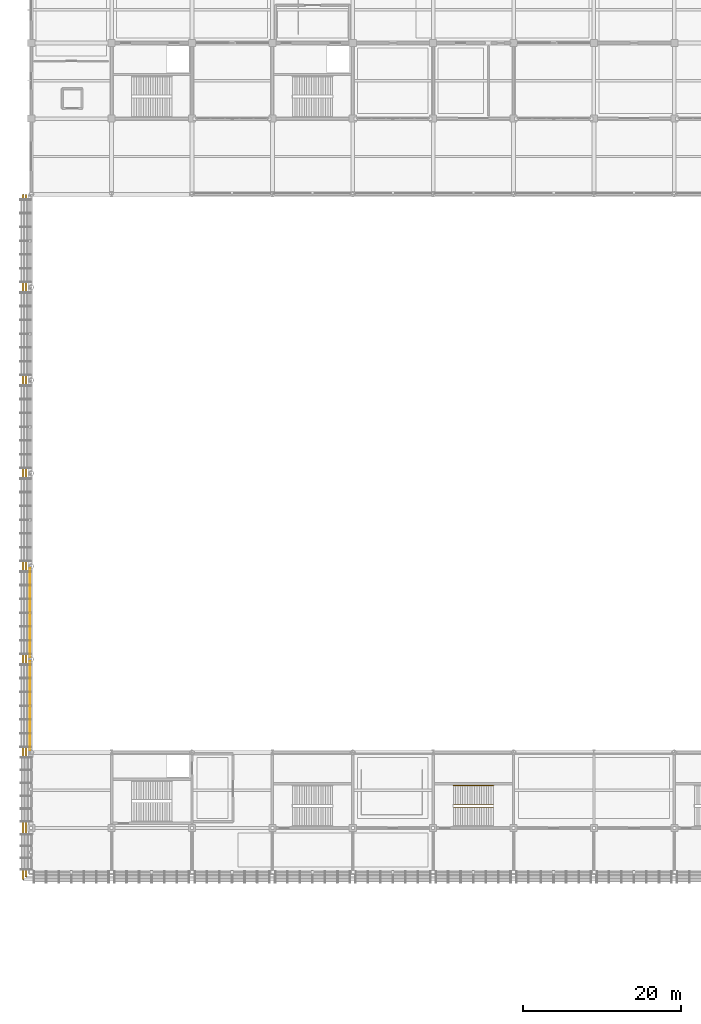
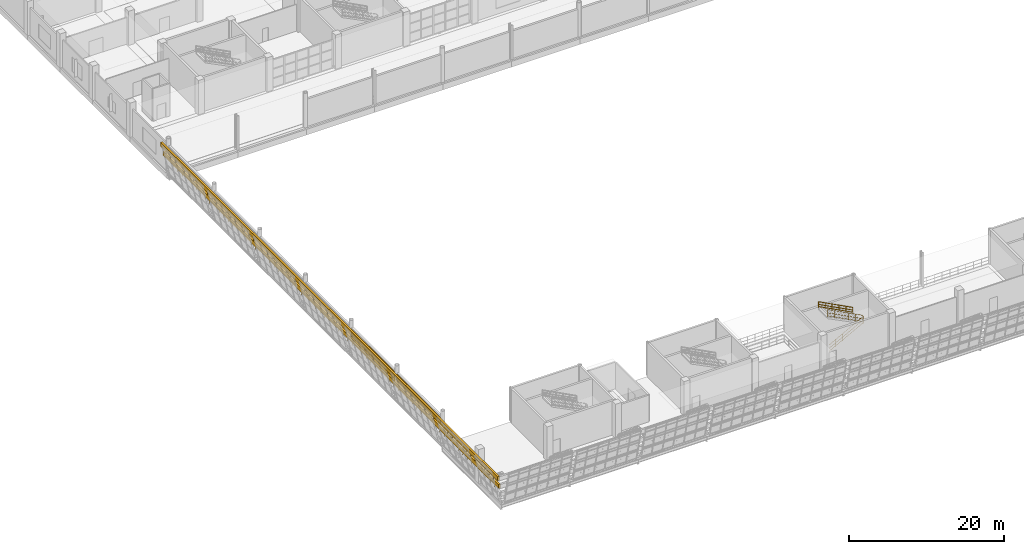
# One storey, part 153 of 175: 6 coverings, 4 railings.
"""IFC4 building model written with IfcOpenShell, lengths in metres."""

from ifc_helpers import new_model, si_unit, direction, frame, origin, origin_2d, place, context, subcontext, project, spatial, polyline, rectangle, circle, outline, extrude, material, layer, layer_set, type_object, element, save


model = new_model("IFC4")

# Units and contexts
model_context = context("Model", 3, precision=1e-05, world=origin(), true_north=direction((0.0, 1.0)))
body_context = subcontext(model_context, "Body", "Model", "MODEL_VIEW")
ifc_project = project(units=[si_unit("LENGTHUNIT", "METRE"), si_unit("AREAUNIT", "SQUARE_METRE"), si_unit("VOLUMEUNIT", "CUBIC_METRE"), si_unit("PLANEANGLEUNIT", "RADIAN"), si_unit("MASSUNIT", "GRAM", prefix="KILO")], contexts=[model_context])

# Site, building, storey
site_placement = place(None, origin())
site = spatial("IfcSite", under=ifc_project, at=site_placement, CompositionType="ELEMENT")
building_placement = place(site_placement, origin())
building = spatial("IfcBuilding", under=site, at=building_placement, Name="Brelvane Convention Centre", CompositionType="ELEMENT")
storey_placement = place(building_placement, frame((0.0, 0.0, 5.39990234375)))
storey = spatial("IfcBuildingStorey", under=building, at=storey_placement, Name="L01", CompositionType="ELEMENT", Elevation=5.39990234375)

# Coverings
ifc_material_1 = material(Name="Patinated Copper-Bronze Alloy C22000")
ifc_layer_1 = layer(ifc_material_1, 0.044921875)
ifc_layer_set_1 = layer_set([ifc_layer_1], Name="Patinated Copper-Bronze Alloy C22000")
covering_type_1 = type_object("IfcCoveringType", Name="Envelope Covering CL-CU1", PredefinedType="CLADDING", material=ifc_layer_set_1)
covering_1_placement = place(storey_placement, frame((0.0, 0.0, 3.77001953125)))
element("IfcCovering", 1, at=covering_1_placement, inside=storey, type_object=covering_type_1, Name="Copper-Bronze Hull Band L01-V1W-L01-1-1", PredefinedType="CLADDING", context=body_context, shape_type="SweptSolid", body=[
    extrude(outline(polyline([(-0.14111328125, 29.0400390625), (-0.14111328125, 40.360107421875), (-0.18603515625, 40.360107421875), (-0.18603515625, 29.0400390625), (-0.14111328125, 29.0400390625)])), origin(), (0.0, 0.0, 1.0), 0.380126953125),
])
covering_2_placement = place(storey_placement, frame((0.0, 0.0, 3.77001953125)))
element("IfcCovering", 2, at=covering_2_placement, inside=storey, type_object=covering_type_1, Name="Copper-Bronze Hull Band L01-V1W-L01-2-1", PredefinedType="CLADDING", context=body_context, shape_type="SweptSolid", body=[
    extrude(outline(polyline([(-0.14111328125, 40.840087890625), (-0.14111328125, 52.159912109375), (-0.18603515625, 52.159912109375), (-0.18603515625, 40.840087890625), (-0.14111328125, 40.840087890625)])), origin(), (0.0, 0.0, 1.0), 0.380126953125),
])
ifc_material_2 = material(Name="Patinated Copper-Bronze Alloy C22000")
ifc_layer_2 = layer(ifc_material_2, 0.054931640625)
ifc_layer_set_2 = layer_set([ifc_layer_2], Name="Patinated Copper-Bronze Alloy C22000")
covering_type_2 = type_object("IfcCoveringType", Name="Envelope Covering CL-CU2", PredefinedType="CLADDING", material=ifc_layer_set_2)
covering_3_placement = place(storey_placement, frame((0.0, 0.0, 3.22021484375)))
element("IfcCovering", 3, at=covering_3_placement, inside=storey, type_object=covering_type_2, Name="Copper-Bronze Hull Band L01-V1W-L01-1-2", PredefinedType="CLADDING", context=body_context, shape_type="SweptSolid", body=[
    extrude(outline(polyline([(-0.14111328125, 29.0400390625), (-0.14111328125, 40.360107421875), (-0.196044921875, 40.360107421875), (-0.196044921875, 29.0400390625), (-0.14111328125, 29.0400390625)])), origin(), (0.0, 0.0, 1.0), 0.3798828125),
])
covering_4_placement = place(storey_placement, frame((0.0, 0.0, 3.22021484375)))
element("IfcCovering", 4, at=covering_4_placement, inside=storey, type_object=covering_type_2, Name="Copper-Bronze Hull Band L01-V1W-L01-2-2", PredefinedType="CLADDING", context=body_context, shape_type="SweptSolid", body=[
    extrude(outline(polyline([(-0.14111328125, 40.840087890625), (-0.14111328125, 52.159912109375), (-0.196044921875, 52.159912109375), (-0.196044921875, 40.840087890625), (-0.14111328125, 40.840087890625)])), origin(), (0.0, 0.0, 1.0), 0.3798828125),
])
ifc_material_3 = material(Name="Patinated Copper-Bronze Alloy C22000")
ifc_layer_3 = layer(ifc_material_3, 0.06494140625)
ifc_layer_set_3 = layer_set([ifc_layer_3], Name="Patinated Copper-Bronze Alloy C22000")
covering_type_3 = type_object("IfcCoveringType", Name="Envelope Covering CL-CU3", PredefinedType="CLADDING", material=ifc_layer_set_3)
covering_5_placement = place(storey_placement, frame((0.0, 0.0, 2.670166015625)))
element("IfcCovering", 5, at=covering_5_placement, inside=storey, type_object=covering_type_3, Name="Copper-Bronze Hull Band L01-V1W-L01-1-3", PredefinedType="CLADDING", context=body_context, shape_type="SweptSolid", body=[
    extrude(outline(polyline([(-0.14111328125, 29.0400390625), (-0.14111328125, 40.360107421875), (-0.2060546875, 40.360107421875), (-0.2060546875, 29.0400390625), (-0.14111328125, 29.0400390625)])), origin(), (0.0, 0.0, 1.0), 0.3798828125),
])
covering_6_placement = place(storey_placement, frame((0.0, 0.0, 2.670166015625)))
element("IfcCovering", 6, at=covering_6_placement, inside=storey, type_object=covering_type_3, Name="Copper-Bronze Hull Band L01-V1W-L01-2-3", PredefinedType="CLADDING", context=body_context, shape_type="SweptSolid", body=[
    extrude(outline(polyline([(-0.14111328125, 40.840087890625), (-0.14111328125, 52.159912109375), (-0.2060546875, 52.159912109375), (-0.2060546875, 40.840087890625), (-0.14111328125, 40.840087890625)])), origin(), (0.0, 0.0, 1.0), 0.3798828125),
])

# Railings
ifc_material_4 = material(Name="Steel E350 (350 MPa)", Category="steel")
railing_type_1 = type_object("IfcRailingType", Name="Railing BL-CU-1", PredefinedType="BALUSTRADE", material=ifc_material_4)
railing_1_placement = place(storey_placement, frame((-0.6630859375, 12.9970703125, 2.400146484375)))
element("IfcRailing", 7, at=railing_1_placement, inside=storey, type_object=railing_type_1, Name="Railing BL-CU-1 L01-cu_hull_w_2", PredefinedType="BALUSTRADE", context=body_context, shape_type="SweptSolid", body=[
    extrude(rectangle(XDim=0.280029296875, YDim=0.6201171875, at=origin_2d()), frame((0.0, 0.0, 0.81005859375), z_axis=(0.0, 1.0, 0.0), x_axis=(-1.0, 0.0, 0.0)), (0.0, 0.0, 1.0), 86.60302734375),
    extrude(circle(Radius=0.02099609375, at=origin_2d()), origin(), (0.0, 0.0, 1.0), 1.072021484375),
    extrude(circle(Radius=0.02099609375, at=origin_2d()), frame((0.0, 1.186279296875, 0.0)), (0.0, 0.0, 1.0), 1.072021484375),
    extrude(circle(Radius=0.02099609375, at=origin_2d()), frame((0.0, 2.372802734375, 0.0)), (0.0, 0.0, 1.0), 1.072021484375),
    extrude(circle(Radius=0.02099609375, at=origin_2d()), frame((0.0, 3.55908203125, 0.0)), (0.0, 0.0, 1.0), 1.072021484375),
    extrude(circle(Radius=0.02099609375, at=origin_2d()), frame((0.0, 4.745361328125, 0.0)), (0.0, 0.0, 1.0), 1.072021484375),
    extrude(circle(Radius=0.02099609375, at=origin_2d()), frame((0.0, 5.931640625, 0.0)), (0.0, 0.0, 1.0), 1.072021484375),
    extrude(circle(Radius=0.02099609375, at=origin_2d()), frame((0.0, 7.1181640625, 0.0)), (0.0, 0.0, 1.0), 1.072021484375),
    extrude(circle(Radius=0.02099609375, at=origin_2d()), frame((0.0, 8.304443359375, 0.0)), (0.0, 0.0, 1.0), 1.072021484375),
    extrude(circle(Radius=0.02099609375, at=origin_2d()), frame((0.0, 9.49072265625, 0.0)), (0.0, 0.0, 1.0), 1.072021484375),
    extrude(circle(Radius=0.02099609375, at=origin_2d()), frame((0.0, 10.677001953125, 0.0)), (0.0, 0.0, 1.0), 1.072021484375),
    extrude(circle(Radius=0.02099609375, at=origin_2d()), frame((0.0, 11.863525390625, 0.0)), (0.0, 0.0, 1.0), 1.072021484375),
    extrude(circle(Radius=0.02099609375, at=origin_2d()), frame((0.0, 13.0498046875, 0.0)), (0.0, 0.0, 1.0), 1.072021484375),
    extrude(circle(Radius=0.02099609375, at=origin_2d()), frame((0.0, 14.236083984375, 0.0)), (0.0, 0.0, 1.0), 1.072021484375),
    extrude(circle(Radius=0.02099609375, at=origin_2d()), frame((0.0, 15.42236328125, 0.0)), (0.0, 0.0, 1.0), 1.072021484375),
    extrude(circle(Radius=0.02099609375, at=origin_2d()), frame((0.0, 16.60888671875, 0.0)), (0.0, 0.0, 1.0), 1.072021484375),
    extrude(circle(Radius=0.02099609375, at=origin_2d()), frame((0.0, 17.795166015625, 0.0)), (0.0, 0.0, 1.0), 1.072021484375),
    extrude(circle(Radius=0.02099609375, at=origin_2d()), frame((0.0, 18.9814453125, 0.0)), (0.0, 0.0, 1.0), 1.072021484375),
    extrude(circle(Radius=0.02099609375, at=origin_2d()), frame((0.0, 20.167724609375, 0.0)), (0.0, 0.0, 1.0), 1.072021484375),
    extrude(circle(Radius=0.02099609375, at=origin_2d()), frame((0.0, 21.354248046875, 0.0)), (0.0, 0.0, 1.0), 1.072021484375),
    extrude(circle(Radius=0.02099609375, at=origin_2d()), frame((0.0, 22.54052734375, 0.0)), (0.0, 0.0, 1.0), 1.072021484375),
    extrude(circle(Radius=0.02099609375, at=origin_2d()), frame((0.0, 23.726806640625, 0.0)), (0.0, 0.0, 1.0), 1.072021484375),
    extrude(circle(Radius=0.02099609375, at=origin_2d()), frame((0.0, 24.9130859375, 0.0)), (0.0, 0.0, 1.0), 1.072021484375),
    extrude(circle(Radius=0.02099609375, at=origin_2d()), frame((0.0, 26.099609375, 0.0)), (0.0, 0.0, 1.0), 1.072021484375),
    extrude(circle(Radius=0.02099609375, at=origin_2d()), frame((0.0, 27.285888671875, 0.0)), (0.0, 0.0, 1.0), 1.072021484375),
    extrude(circle(Radius=0.02099609375, at=origin_2d()), frame((0.0, 28.47216796875, 0.0)), (0.0, 0.0, 1.0), 1.072021484375),
    extrude(circle(Radius=0.02099609375, at=origin_2d()), frame((0.0, 29.65869140625, 0.0)), (0.0, 0.0, 1.0), 1.072021484375),
    extrude(circle(Radius=0.02099609375, at=origin_2d()), frame((0.0, 30.844970703125, 0.0)), (0.0, 0.0, 1.0), 1.072021484375),
    extrude(circle(Radius=0.02099609375, at=origin_2d()), frame((0.0, 32.03125, 0.0)), (0.0, 0.0, 1.0), 1.072021484375),
    extrude(circle(Radius=0.02099609375, at=origin_2d()), frame((0.0, 33.217529296875, 0.0)), (0.0, 0.0, 1.0), 1.072021484375),
    extrude(circle(Radius=0.02099609375, at=origin_2d()), frame((0.0, 34.404052734375, 0.0)), (0.0, 0.0, 1.0), 1.072021484375),
    extrude(circle(Radius=0.02099609375, at=origin_2d()), frame((0.0, 35.59033203125, 0.0)), (0.0, 0.0, 1.0), 1.072021484375),
    extrude(circle(Radius=0.02099609375, at=origin_2d()), frame((0.0, 36.776611328125, 0.0)), (0.0, 0.0, 1.0), 1.072021484375),
    extrude(circle(Radius=0.02099609375, at=origin_2d()), frame((0.0, 37.962890625, 0.0)), (0.0, 0.0, 1.0), 1.072021484375),
    extrude(circle(Radius=0.02099609375, at=origin_2d()), frame((0.0, 39.1494140625, 0.0)), (0.0, 0.0, 1.0), 1.072021484375),
    extrude(circle(Radius=0.02099609375, at=origin_2d()), frame((0.0, 40.335693359375, 0.0)), (0.0, 0.0, 1.0), 1.072021484375),
    extrude(circle(Radius=0.02099609375, at=origin_2d()), frame((0.0, 41.52197265625, 0.0)), (0.0, 0.0, 1.0), 1.072021484375),
    extrude(circle(Radius=0.02099609375, at=origin_2d()), frame((0.0, 42.708251953125, 0.0)), (0.0, 0.0, 1.0), 1.072021484375),
    extrude(circle(Radius=0.02099609375, at=origin_2d()), frame((0.0, 43.894775390625, 0.0)), (0.0, 0.0, 1.0), 1.072021484375),
    extrude(circle(Radius=0.02099609375, at=origin_2d()), frame((0.0, 45.0810546875, 0.0)), (0.0, 0.0, 1.0), 1.072021484375),
    extrude(circle(Radius=0.02099609375, at=origin_2d()), frame((0.0, 46.267333984375, 0.0)), (0.0, 0.0, 1.0), 1.072021484375),
    extrude(circle(Radius=0.02099609375, at=origin_2d()), frame((0.0, 47.45361328125, 0.0)), (0.0, 0.0, 1.0), 1.072021484375),
    extrude(circle(Radius=0.02099609375, at=origin_2d()), frame((0.0, 48.64013671875, 0.0)), (0.0, 0.0, 1.0), 1.072021484375),
    extrude(circle(Radius=0.02099609375, at=origin_2d()), frame((0.0, 49.826416015625, 0.0)), (0.0, 0.0, 1.0), 1.072021484375),
    extrude(circle(Radius=0.02099609375, at=origin_2d()), frame((0.0, 51.0126953125, 0.0)), (0.0, 0.0, 1.0), 1.072021484375),
    extrude(circle(Radius=0.02099609375, at=origin_2d()), frame((0.0, 52.198974609375, 0.0)), (0.0, 0.0, 1.0), 1.072021484375),
    extrude(circle(Radius=0.02099609375, at=origin_2d()), frame((0.0, 53.385498046875, 0.0)), (0.0, 0.0, 1.0), 1.072021484375),
    extrude(circle(Radius=0.02099609375, at=origin_2d()), frame((0.0, 54.57177734375, 0.0)), (0.0, 0.0, 1.0), 1.072021484375),
    extrude(circle(Radius=0.02099609375, at=origin_2d()), frame((0.0, 55.758056640625, 0.0)), (0.0, 0.0, 1.0), 1.072021484375),
    extrude(circle(Radius=0.02099609375, at=origin_2d()), frame((0.0, 56.9443359375, 0.0)), (0.0, 0.0, 1.0), 1.072021484375),
    extrude(circle(Radius=0.02099609375, at=origin_2d()), frame((0.0, 58.130859375, 0.0)), (0.0, 0.0, 1.0), 1.072021484375),
    extrude(circle(Radius=0.02099609375, at=origin_2d()), frame((0.0, 59.317138671875, 0.0)), (0.0, 0.0, 1.0), 1.072021484375),
    extrude(circle(Radius=0.02099609375, at=origin_2d()), frame((0.0, 60.50341796875, 0.0)), (0.0, 0.0, 1.0), 1.072021484375),
    extrude(circle(Radius=0.02099609375, at=origin_2d()), frame((0.0, 61.68994140625, 0.0)), (0.0, 0.0, 1.0), 1.072021484375),
    extrude(circle(Radius=0.02099609375, at=origin_2d()), frame((0.0, 62.876220703125, 0.0)), (0.0, 0.0, 1.0), 1.072021484375),
    extrude(circle(Radius=0.02099609375, at=origin_2d()), frame((0.0, 64.0625, 0.0)), (0.0, 0.0, 1.0), 1.072021484375),
    extrude(circle(Radius=0.02099609375, at=origin_2d()), frame((0.0, 65.248779296875, 0.0)), (0.0, 0.0, 1.0), 1.072021484375),
    extrude(circle(Radius=0.02099609375, at=origin_2d()), frame((0.0, 66.435302734375, 0.0)), (0.0, 0.0, 1.0), 1.072021484375),
    extrude(circle(Radius=0.02099609375, at=origin_2d()), frame((0.0, 67.62158203125, 0.0)), (0.0, 0.0, 1.0), 1.072021484375),
    extrude(circle(Radius=0.02099609375, at=origin_2d()), frame((0.0, 68.807861328125, 0.0)), (0.0, 0.0, 1.0), 1.072021484375),
    extrude(circle(Radius=0.02099609375, at=origin_2d()), frame((0.0, 69.994140625, 0.0)), (0.0, 0.0, 1.0), 1.072021484375),
    extrude(circle(Radius=0.02099609375, at=origin_2d()), frame((0.0, 71.1806640625, 0.0)), (0.0, 0.0, 1.0), 1.072021484375),
    extrude(circle(Radius=0.02099609375, at=origin_2d()), frame((0.0, 72.366943359375, 0.0)), (0.0, 0.0, 1.0), 1.072021484375),
    extrude(circle(Radius=0.02099609375, at=origin_2d()), frame((0.0, 73.55322265625, 0.0)), (0.0, 0.0, 1.0), 1.072021484375),
    extrude(circle(Radius=0.02099609375, at=origin_2d()), frame((0.0, 74.739501953125, 0.0)), (0.0, 0.0, 1.0), 1.072021484375),
    extrude(circle(Radius=0.02099609375, at=origin_2d()), frame((0.0, 75.926025390625, 0.0)), (0.0, 0.0, 1.0), 1.072021484375),
    extrude(circle(Radius=0.02099609375, at=origin_2d()), frame((0.0, 77.1123046875, 0.0)), (0.0, 0.0, 1.0), 1.072021484375),
    extrude(circle(Radius=0.02099609375, at=origin_2d()), frame((0.0, 78.298583984375, 0.0)), (0.0, 0.0, 1.0), 1.072021484375),
    extrude(circle(Radius=0.02099609375, at=origin_2d()), frame((0.0, 79.48486328125, 0.0)), (0.0, 0.0, 1.0), 1.072021484375),
    extrude(circle(Radius=0.02099609375, at=origin_2d()), frame((0.0, 80.67138671875, 0.0)), (0.0, 0.0, 1.0), 1.072021484375),
    extrude(circle(Radius=0.02099609375, at=origin_2d()), frame((0.0, 81.857666015625, 0.0)), (0.0, 0.0, 1.0), 1.072021484375),
    extrude(circle(Radius=0.02099609375, at=origin_2d()), frame((0.0, 83.0439453125, 0.0)), (0.0, 0.0, 1.0), 1.072021484375),
    extrude(circle(Radius=0.02099609375, at=origin_2d()), frame((0.0, 84.230224609375, 0.0)), (0.0, 0.0, 1.0), 1.072021484375),
    extrude(circle(Radius=0.02099609375, at=origin_2d()), frame((0.0, 85.416748046875, 0.0)), (0.0, 0.0, 1.0), 1.072021484375),
    extrude(circle(Radius=0.02099609375, at=origin_2d()), frame((0.0, 86.60302734375, 0.0)), (0.0, 0.0, 1.0), 1.072021484375),
])
railing_2_placement = place(storey_placement, frame((-1.02587890625, 12.634033203125, 3.9501953125)))
element("IfcRailing", 8, at=railing_2_placement, inside=storey, type_object=railing_type_1, Name="Railing BL-CU-1 L01-cu_hull_w_3", PredefinedType="BALUSTRADE", context=body_context, shape_type="SweptSolid", body=[
    extrude(rectangle(XDim=0.280029296875, YDim=0.6201171875, at=origin_2d()), frame((0.0, 0.0, 0.81005859375), z_axis=(0.0, 1.0, 0.0), x_axis=(-1.0, 0.0, 0.0)), (0.0, 0.0, 1.0), 86.966064453125),
    extrude(circle(Radius=0.02099609375, at=origin_2d()), origin(), (0.0, 0.0, 1.0), 1.072021484375),
    extrude(circle(Radius=0.02099609375, at=origin_2d()), frame((0.0, 1.19140625, 0.0)), (0.0, 0.0, 1.0), 1.072021484375),
    extrude(circle(Radius=0.02099609375, at=origin_2d()), frame((0.0, 2.382568359375, 0.0)), (0.0, 0.0, 1.0), 1.072021484375),
    extrude(circle(Radius=0.02099609375, at=origin_2d()), frame((0.0, 3.573974609375, 0.0)), (0.0, 0.0, 1.0), 1.072021484375),
    extrude(circle(Radius=0.02099609375, at=origin_2d()), frame((0.0, 4.765380859375, 0.0)), (0.0, 0.0, 1.0), 1.072021484375),
    extrude(circle(Radius=0.02099609375, at=origin_2d()), frame((0.0, 5.95654296875, 0.0)), (0.0, 0.0, 1.0), 1.072021484375),
    extrude(circle(Radius=0.02099609375, at=origin_2d()), frame((0.0, 7.14794921875, 0.0)), (0.0, 0.0, 1.0), 1.072021484375),
    extrude(circle(Radius=0.02099609375, at=origin_2d()), frame((0.0, 8.339111328125, 0.0)), (0.0, 0.0, 1.0), 1.072021484375),
    extrude(circle(Radius=0.02099609375, at=origin_2d()), frame((0.0, 9.530517578125, 0.0)), (0.0, 0.0, 1.0), 1.072021484375),
    extrude(circle(Radius=0.02099609375, at=origin_2d()), frame((0.0, 10.721923828125, 0.0)), (0.0, 0.0, 1.0), 1.072021484375),
    extrude(circle(Radius=0.02099609375, at=origin_2d()), frame((0.0, 11.9130859375, 0.0)), (0.0, 0.0, 1.0), 1.072021484375),
    extrude(circle(Radius=0.02099609375, at=origin_2d()), frame((0.0, 13.1044921875, 0.0)), (0.0, 0.0, 1.0), 1.072021484375),
    extrude(circle(Radius=0.02099609375, at=origin_2d()), frame((0.0, 14.2958984375, 0.0)), (0.0, 0.0, 1.0), 1.072021484375),
    extrude(circle(Radius=0.02099609375, at=origin_2d()), frame((0.0, 15.487060546875, 0.0)), (0.0, 0.0, 1.0), 1.072021484375),
    extrude(circle(Radius=0.02099609375, at=origin_2d()), frame((0.0, 16.678466796875, 0.0)), (0.0, 0.0, 1.0), 1.072021484375),
    extrude(circle(Radius=0.02099609375, at=origin_2d()), frame((0.0, 17.86962890625, 0.0)), (0.0, 0.0, 1.0), 1.072021484375),
    extrude(circle(Radius=0.02099609375, at=origin_2d()), frame((0.0, 19.06103515625, 0.0)), (0.0, 0.0, 1.0), 1.072021484375),
    extrude(circle(Radius=0.02099609375, at=origin_2d()), frame((0.0, 20.25244140625, 0.0)), (0.0, 0.0, 1.0), 1.072021484375),
    extrude(circle(Radius=0.02099609375, at=origin_2d()), frame((0.0, 21.443603515625, 0.0)), (0.0, 0.0, 1.0), 1.072021484375),
    extrude(circle(Radius=0.02099609375, at=origin_2d()), frame((0.0, 22.635009765625, 0.0)), (0.0, 0.0, 1.0), 1.072021484375),
    extrude(circle(Radius=0.02099609375, at=origin_2d()), frame((0.0, 23.826416015625, 0.0)), (0.0, 0.0, 1.0), 1.072021484375),
    extrude(circle(Radius=0.02099609375, at=origin_2d()), frame((0.0, 25.017578125, 0.0)), (0.0, 0.0, 1.0), 1.072021484375),
    extrude(circle(Radius=0.02099609375, at=origin_2d()), frame((0.0, 26.208984375, 0.0)), (0.0, 0.0, 1.0), 1.072021484375),
    extrude(circle(Radius=0.02099609375, at=origin_2d()), frame((0.0, 27.400146484375, 0.0)), (0.0, 0.0, 1.0), 1.072021484375),
    extrude(circle(Radius=0.02099609375, at=origin_2d()), frame((0.0, 28.591552734375, 0.0)), (0.0, 0.0, 1.0), 1.072021484375),
    extrude(circle(Radius=0.02099609375, at=origin_2d()), frame((0.0, 29.782958984375, 0.0)), (0.0, 0.0, 1.0), 1.072021484375),
    extrude(circle(Radius=0.02099609375, at=origin_2d()), frame((0.0, 30.97412109375, 0.0)), (0.0, 0.0, 1.0), 1.072021484375),
    extrude(circle(Radius=0.02099609375, at=origin_2d()), frame((0.0, 32.16552734375, 0.0)), (0.0, 0.0, 1.0), 1.072021484375),
    extrude(circle(Radius=0.02099609375, at=origin_2d()), frame((0.0, 33.35693359375, 0.0)), (0.0, 0.0, 1.0), 1.072021484375),
    extrude(circle(Radius=0.02099609375, at=origin_2d()), frame((0.0, 34.548095703125, 0.0)), (0.0, 0.0, 1.0), 1.072021484375),
    extrude(circle(Radius=0.02099609375, at=origin_2d()), frame((0.0, 35.739501953125, 0.0)), (0.0, 0.0, 1.0), 1.072021484375),
    extrude(circle(Radius=0.02099609375, at=origin_2d()), frame((0.0, 36.930908203125, 0.0)), (0.0, 0.0, 1.0), 1.072021484375),
    extrude(circle(Radius=0.02099609375, at=origin_2d()), frame((0.0, 38.1220703125, 0.0)), (0.0, 0.0, 1.0), 1.072021484375),
    extrude(circle(Radius=0.02099609375, at=origin_2d()), frame((0.0, 39.3134765625, 0.0)), (0.0, 0.0, 1.0), 1.072021484375),
    extrude(circle(Radius=0.02099609375, at=origin_2d()), frame((0.0, 40.504638671875, 0.0)), (0.0, 0.0, 1.0), 1.072021484375),
    extrude(circle(Radius=0.02099609375, at=origin_2d()), frame((0.0, 41.696044921875, 0.0)), (0.0, 0.0, 1.0), 1.072021484375),
    extrude(circle(Radius=0.02099609375, at=origin_2d()), frame((0.0, 42.887451171875, 0.0)), (0.0, 0.0, 1.0), 1.072021484375),
    extrude(circle(Radius=0.02099609375, at=origin_2d()), frame((0.0, 44.07861328125, 0.0)), (0.0, 0.0, 1.0), 1.072021484375),
    extrude(circle(Radius=0.02099609375, at=origin_2d()), frame((0.0, 45.27001953125, 0.0)), (0.0, 0.0, 1.0), 1.072021484375),
    extrude(circle(Radius=0.02099609375, at=origin_2d()), frame((0.0, 46.46142578125, 0.0)), (0.0, 0.0, 1.0), 1.072021484375),
    extrude(circle(Radius=0.02099609375, at=origin_2d()), frame((0.0, 47.652587890625, 0.0)), (0.0, 0.0, 1.0), 1.072021484375),
    extrude(circle(Radius=0.02099609375, at=origin_2d()), frame((0.0, 48.843994140625, 0.0)), (0.0, 0.0, 1.0), 1.072021484375),
    extrude(circle(Radius=0.02099609375, at=origin_2d()), frame((0.0, 50.03515625, 0.0)), (0.0, 0.0, 1.0), 1.072021484375),
    extrude(circle(Radius=0.02099609375, at=origin_2d()), frame((0.0, 51.2265625, 0.0)), (0.0, 0.0, 1.0), 1.072021484375),
    extrude(circle(Radius=0.02099609375, at=origin_2d()), frame((0.0, 52.41796875, 0.0)), (0.0, 0.0, 1.0), 1.072021484375),
    extrude(circle(Radius=0.02099609375, at=origin_2d()), frame((0.0, 53.609130859375, 0.0)), (0.0, 0.0, 1.0), 1.072021484375),
    extrude(circle(Radius=0.02099609375, at=origin_2d()), frame((0.0, 54.800537109375, 0.0)), (0.0, 0.0, 1.0), 1.072021484375),
    extrude(circle(Radius=0.02099609375, at=origin_2d()), frame((0.0, 55.991943359375, 0.0)), (0.0, 0.0, 1.0), 1.072021484375),
    extrude(circle(Radius=0.02099609375, at=origin_2d()), frame((0.0, 57.18310546875, 0.0)), (0.0, 0.0, 1.0), 1.072021484375),
    extrude(circle(Radius=0.02099609375, at=origin_2d()), frame((0.0, 58.37451171875, 0.0)), (0.0, 0.0, 1.0), 1.072021484375),
    extrude(circle(Radius=0.02099609375, at=origin_2d()), frame((0.0, 59.56591796875, 0.0)), (0.0, 0.0, 1.0), 1.072021484375),
    extrude(circle(Radius=0.02099609375, at=origin_2d()), frame((0.0, 60.757080078125, 0.0)), (0.0, 0.0, 1.0), 1.072021484375),
    extrude(circle(Radius=0.02099609375, at=origin_2d()), frame((0.0, 61.948486328125, 0.0)), (0.0, 0.0, 1.0), 1.072021484375),
    extrude(circle(Radius=0.02099609375, at=origin_2d()), frame((0.0, 63.1396484375, 0.0)), (0.0, 0.0, 1.0), 1.072021484375),
    extrude(circle(Radius=0.02099609375, at=origin_2d()), frame((0.0, 64.3310546875, 0.0)), (0.0, 0.0, 1.0), 1.072021484375),
    extrude(circle(Radius=0.02099609375, at=origin_2d()), frame((0.0, 65.5224609375, 0.0)), (0.0, 0.0, 1.0), 1.072021484375),
    extrude(circle(Radius=0.02099609375, at=origin_2d()), frame((0.0, 66.713623046875, 0.0)), (0.0, 0.0, 1.0), 1.072021484375),
    extrude(circle(Radius=0.02099609375, at=origin_2d()), frame((0.0, 67.905029296875, 0.0)), (0.0, 0.0, 1.0), 1.072021484375),
    extrude(circle(Radius=0.02099609375, at=origin_2d()), frame((0.0, 69.096435546875, 0.0)), (0.0, 0.0, 1.0), 1.072021484375),
    extrude(circle(Radius=0.02099609375, at=origin_2d()), frame((0.0, 70.28759765625, 0.0)), (0.0, 0.0, 1.0), 1.072021484375),
    extrude(circle(Radius=0.02099609375, at=origin_2d()), frame((0.0, 71.47900390625, 0.0)), (0.0, 0.0, 1.0), 1.072021484375),
    extrude(circle(Radius=0.02099609375, at=origin_2d()), frame((0.0, 72.670166015625, 0.0)), (0.0, 0.0, 1.0), 1.072021484375),
    extrude(circle(Radius=0.02099609375, at=origin_2d()), frame((0.0, 73.861572265625, 0.0)), (0.0, 0.0, 1.0), 1.072021484375),
    extrude(circle(Radius=0.02099609375, at=origin_2d()), frame((0.0, 75.052978515625, 0.0)), (0.0, 0.0, 1.0), 1.072021484375),
    extrude(circle(Radius=0.02099609375, at=origin_2d()), frame((0.0, 76.244140625, 0.0)), (0.0, 0.0, 1.0), 1.072021484375),
    extrude(circle(Radius=0.02099609375, at=origin_2d()), frame((0.0, 77.435546875, 0.0)), (0.0, 0.0, 1.0), 1.072021484375),
    extrude(circle(Radius=0.02099609375, at=origin_2d()), frame((0.0, 78.626953125, 0.0)), (0.0, 0.0, 1.0), 1.072021484375),
    extrude(circle(Radius=0.02099609375, at=origin_2d()), frame((0.0, 79.818115234375, 0.0)), (0.0, 0.0, 1.0), 1.072021484375),
    extrude(circle(Radius=0.02099609375, at=origin_2d()), frame((0.0, 81.009521484375, 0.0)), (0.0, 0.0, 1.0), 1.072021484375),
    extrude(circle(Radius=0.02099609375, at=origin_2d()), frame((0.0, 82.20068359375, 0.0)), (0.0, 0.0, 1.0), 1.072021484375),
    extrude(circle(Radius=0.02099609375, at=origin_2d()), frame((0.0, 83.39208984375, 0.0)), (0.0, 0.0, 1.0), 1.072021484375),
    extrude(circle(Radius=0.02099609375, at=origin_2d()), frame((0.0, 84.58349609375, 0.0)), (0.0, 0.0, 1.0), 1.072021484375),
    extrude(circle(Radius=0.02099609375, at=origin_2d()), frame((0.0, 85.774658203125, 0.0)), (0.0, 0.0, 1.0), 1.072021484375),
    extrude(circle(Radius=0.02099609375, at=origin_2d()), frame((0.0, 86.966064453125, 0.0)), (0.0, 0.0, 1.0), 1.072021484375),
])
ifc_material_5 = material(Name="Steel E350 (350 MPa)", Category="steel")
railing_type_2 = type_object("IfcRailingType", Name="Stair Railing GR-ST-1", PredefinedType="GUARDRAIL", material=ifc_material_5)
railing_3_placement = place(storey_placement, frame((53.550048828125, 21.840087890625, -0.02001953125)))
element("IfcRailing", 9, at=railing_3_placement, inside=storey, type_object=railing_type_2, Name="Stair ST-09 L01 Inner Well Guard", PredefinedType="GUARDRAIL", context=body_context, shape_type="SweptSolid", body=[
    extrude(circle(Radius=0.02392578125, at=origin_2d()), frame((0.0, 0.0, 1.1259765625), z_axis=(0.882331893838, 0.0, 0.470627696929), x_axis=(0.0, 1.0, 0.0)), (0.0, 0.0, 1.0), 5.780029296875),
    extrude(circle(Radius=0.02392578125, at=origin_2d()), frame((0.0, 0.0, 0.597900390625), z_axis=(0.882331893838, 0.0, 0.470627696929), x_axis=(0.0, 1.0, 0.0)), (0.0, 0.0, 1.0), 5.780029296875),
    extrude(circle(Radius=0.02392578125, at=origin_2d()), frame((0.0, 0.0, 0.139892578125), z_axis=(0.882331893838, 0.0, 0.470627696929), x_axis=(0.0, 1.0, 0.0)), (0.0, 0.0, 1.0), 5.780029296875),
    extrude(circle(Radius=0.02392578125, at=origin_2d()), frame((5.099853515625, 0.0, 3.84619140625), z_axis=(0.0, 1.0, 0.0), x_axis=(-1.0, 0.0, 0.0)), (0.0, 0.0, 1.0), 0.31982421875),
    extrude(circle(Radius=0.02392578125, at=origin_2d()), frame((5.099853515625, 0.0, 3.318115234375), z_axis=(0.0, 1.0, 0.0), x_axis=(-1.0, 0.0, 0.0)), (0.0, 0.0, 1.0), 0.31982421875),
    extrude(circle(Radius=0.02392578125, at=origin_2d()), frame((5.099853515625, 0.0, 2.860107421875), z_axis=(0.0, 1.0, 0.0), x_axis=(-1.0, 0.0, 0.0)), (0.0, 0.0, 1.0), 0.31982421875),
    extrude(circle(Radius=0.02392578125, at=origin_2d()), frame((5.099853515625, 0.31982421875, 3.84619140625), z_axis=(-0.885218631674, 0.0, 0.465175207999), x_axis=(0.0, -1.0, 0.0)), (0.0, 0.0, 1.0), 5.76123046875),
    extrude(circle(Radius=0.02392578125, at=origin_2d()), frame((5.099853515625, 0.31982421875, 3.318115234375), z_axis=(-0.885218631674, 0.0, 0.465175207999), x_axis=(0.0, -1.0, 0.0)), (0.0, 0.0, 1.0), 5.76123046875),
    extrude(circle(Radius=0.02392578125, at=origin_2d()), frame((5.099853515625, 0.31982421875, 2.860107421875), z_axis=(-0.885218631674, 0.0, 0.465175207999), x_axis=(0.0, -1.0, 0.0)), (0.0, 0.0, 1.0), 5.76123046875),
    extrude(circle(Radius=0.02099609375, at=origin_2d()), origin(), (0.0, 0.0, 1.0), 1.101806640625),
    extrude(circle(Radius=0.02099609375, at=origin_2d()), frame((1.02001953125, 0.0, 0.5439453125)), (0.0, 0.0, 1.0), 1.101806640625),
    extrude(circle(Radius=0.02099609375, at=origin_2d()), frame((2.0400390625, 0.0, 1.088134765625)), (0.0, 0.0, 1.0), 1.101806640625),
    extrude(circle(Radius=0.02099609375, at=origin_2d()), frame((3.059814453125, 0.0, 1.632080078125)), (0.0, 0.0, 1.0), 1.101806640625),
    extrude(circle(Radius=0.02099609375, at=origin_2d()), frame((4.079833984375, 0.0, 2.17626953125)), (0.0, 0.0, 1.0), 1.101806640625),
    extrude(circle(Radius=0.02099609375, at=origin_2d()), frame((5.099853515625, 0.0, 2.72021484375)), (0.0, 0.0, 1.0), 1.101806640625),
    extrude(circle(Radius=0.02099609375, at=origin_2d()), frame((5.099853515625, 0.31982421875, 2.72021484375)), (0.0, 0.0, 1.0), 1.101806640625),
    extrude(circle(Radius=0.02099609375, at=origin_2d()), frame((4.079833984375, 0.31982421875, 3.256103515625)), (0.0, 0.0, 1.0), 1.101806640625),
    extrude(circle(Radius=0.02099609375, at=origin_2d()), frame((3.059814453125, 0.31982421875, 3.792236328125)), (0.0, 0.0, 1.0), 1.101806640625),
    extrude(circle(Radius=0.02099609375, at=origin_2d()), frame((2.0400390625, 0.31982421875, 4.328125)), (0.0, 0.0, 1.0), 1.101806640625),
    extrude(circle(Radius=0.02099609375, at=origin_2d()), frame((1.02001953125, 0.31982421875, 4.8642578125)), (0.0, 0.0, 1.0), 1.101806640625),
    extrude(circle(Radius=0.02099609375, at=origin_2d()), frame((0.0, 0.31982421875, 5.400146484375)), (0.0, 0.0, 1.0), 1.101806640625),
])
ifc_material_6 = material(Name="Steel E350 (350 MPa)", Category="steel")
railing_type_3 = type_object("IfcRailingType", Name="Stair Railing HR-ST-1", PredefinedType="HANDRAIL", material=ifc_material_6)
railing_4_placement = place(storey_placement, frame((58.64990234375, 24.570068359375, 2.7001953125)))
element("IfcRailing", 10, at=railing_4_placement, inside=storey, type_object=railing_type_3, Name="Stair ST-09 L01 Outer Handrail F2", PredefinedType="HANDRAIL", context=body_context, shape_type="SweptSolid", body=[
    extrude(circle(Radius=0.02392578125, at=origin_2d()), frame((0.0, 0.0, 0.89599609375), z_axis=(-0.885218631674, 0.0, 0.465175207999), x_axis=(0.0, -1.0, 0.0)), (0.0, 0.0, 1.0), 5.76123046875),
    extrude(circle(Radius=0.02392578125, at=origin_2d()), frame((0.0, 0.0, 0.478271484375), z_axis=(-0.885218631674, 0.0, 0.465175207999), x_axis=(0.0, -1.0, 0.0)), (0.0, 0.0, 1.0), 5.76123046875),
    extrude(circle(Radius=0.02392578125, at=origin_2d()), frame((0.0, 0.0, 0.139892578125), z_axis=(-0.885218631674, 0.0, 0.465175207999), x_axis=(0.0, -1.0, 0.0)), (0.0, 0.0, 1.0), 5.76123046875),
    extrude(circle(Radius=0.02099609375, at=origin_2d()), origin(), (0.0, 0.0, 1.0), 0.871826171875),
    extrude(circle(Radius=0.02099609375, at=origin_2d()), frame((-1.02001953125, 0.0, 0.535888671875)), (0.0, 0.0, 1.0), 0.871826171875),
    extrude(circle(Radius=0.02099609375, at=origin_2d()), frame((-2.0400390625, 0.0, 1.072021484375)), (0.0, 0.0, 1.0), 0.871826171875),
    extrude(circle(Radius=0.02099609375, at=origin_2d()), frame((-3.059814453125, 0.0, 1.60791015625)), (0.0, 0.0, 1.0), 0.871826171875),
    extrude(circle(Radius=0.02099609375, at=origin_2d()), frame((-4.079833984375, 0.0, 2.14404296875)), (0.0, 0.0, 1.0), 0.871826171875),
    extrude(circle(Radius=0.02099609375, at=origin_2d()), frame((-5.099853515625, 0.0, 2.679931640625)), (0.0, 0.0, 1.0), 0.871826171875),
])

save(model, "model.ifc")
